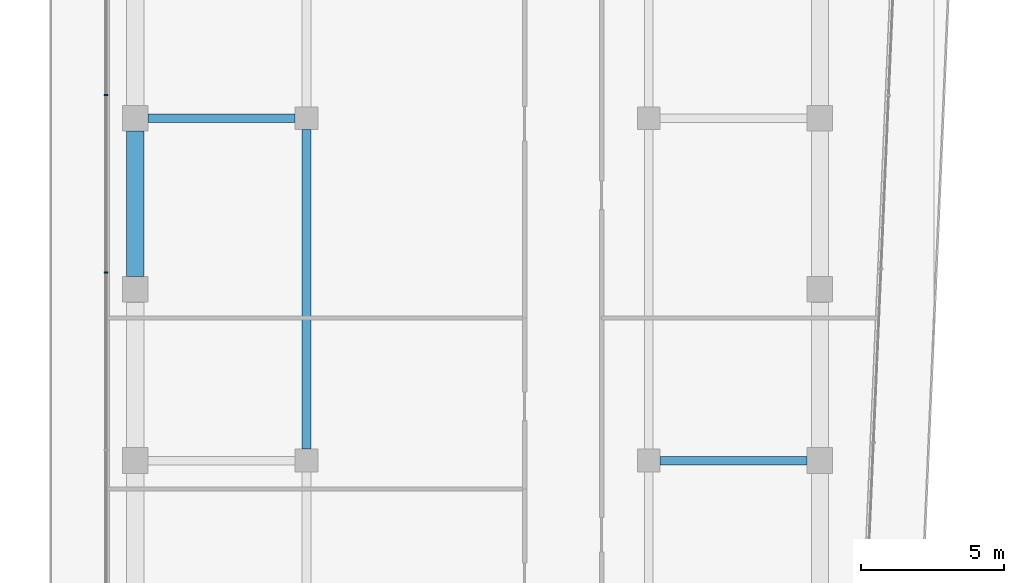
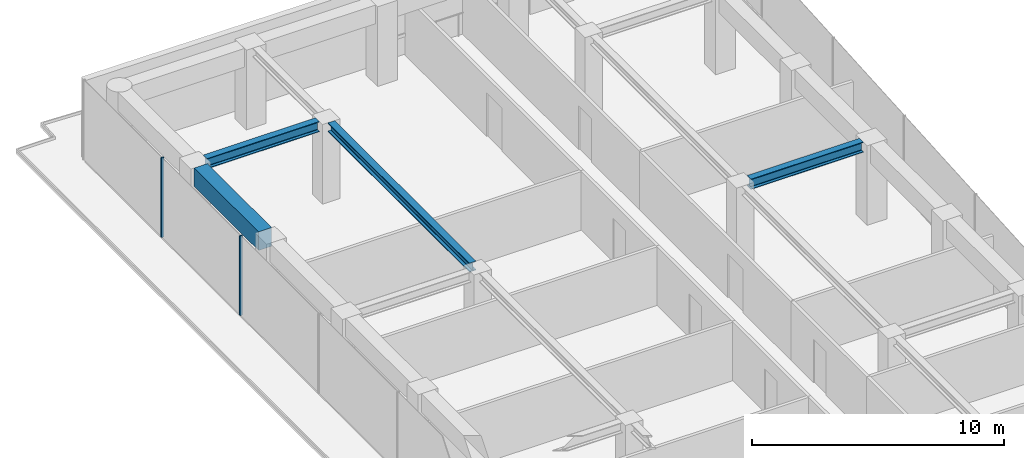
# One storey, part 14 of 25: 4 beams, 2 members, 1 element without a shape of its own.
"""IFC4 building model written with IfcOpenShell, lengths in metres."""

from ifc_helpers import new_model, si_unit, direction, frame, origin, origin_2d, place, context, subcontext, project, spatial, rectangle, i_section, extrude, material, layer, layer_set, material_profile, profile_set, type_object, element, aggregate, save


model = new_model("IFC4")

# Units and contexts
model_context = context("Model", 3, precision=1e-05, world=origin(), true_north=direction((0.0, 1.0)))
body_context = subcontext(model_context, "Body", "Model", "MODEL_VIEW")
ifc_project = project(units=[si_unit("LENGTHUNIT", "METRE"), si_unit("AREAUNIT", "SQUARE_METRE"), si_unit("VOLUMEUNIT", "CUBIC_METRE"), si_unit("PLANEANGLEUNIT", "RADIAN"), si_unit("MASSUNIT", "GRAM", prefix="KILO")], contexts=[model_context])

# Site, building, storey
site_placement = place(None, origin())
site = spatial("IfcSite", under=ifc_project, at=site_placement, CompositionType="ELEMENT")
building_placement = place(site_placement, origin())
building = spatial("IfcBuilding", under=site, at=building_placement, Name="Welwitschia Terrace Campus", CompositionType="ELEMENT")
storey_placement = place(building_placement, frame((0.0, 0.0, 121.39990234375)))
storey = spatial("IfcBuildingStorey", under=building, at=storey_placement, Name="L27", CompositionType="ELEMENT", Elevation=121.39990234375)

# Beam
ifc_material_1 = material(Name="Steel S355", Category="steel")
ifc_material_profile_1 = material_profile(ifc_material_1, i_section(OverallWidth=0.306884765625, OverallDepth=0.431884765625, WebThickness=0.02099609375, FlangeThickness=0.0400390625, FilletRadius=0.027099609375, at=origin_2d()))
ifc_profile_set_1 = profile_set([ifc_material_profile_1], Name="Steel S355")
beam_type_1 = type_object("IfcBeamType", Name="Interior girder HE 400 M", PredefinedType="BEAM", material=ifc_profile_set_1)
beam_1_placement = place(storey_placement, frame((6.0, 52.400390625, 3.634033203125), z_axis=(0.0, 1.0, 0.0), x_axis=(-1.0, 0.0, 0.0)))
element("IfcBeam", 1, at=beam_1_placement, inside=storey, type_object=beam_type_1, Name="Girder GB3", PredefinedType="BEAM", context=body_context, shape_type="SweptSolid", body=[
    extrude(i_section(OverallWidth=0.306884765625, OverallDepth=0.431884765625, WebThickness=0.02099609375, FlangeThickness=0.0400390625, FilletRadius=0.027099609375, at=origin_2d()), origin(), (0.0, 0.0, 1.0), 11.19921875),
])

# Curtain wall, members
ifc_material_2 = material(Name="Bronze anodised aluminium", Category="aluminium")
ifc_layer = layer(ifc_material_2, 0.1201171875)
ifc_layer_set = layer_set([ifc_layer], Name="Bronze anodised aluminium")
curtain_wall_type = type_object("IfcCurtainWallType", Name="Curtain wall CW2 tower 6000", PredefinedType="NOTDEFINED", material=ifc_layer_set)
curtain_wall_placement = place(storey_placement, origin())
curtain_wall = element("IfcCurtainWall", 2, at=curtain_wall_placement, inside=storey, type_object=curtain_wall_type, Name="CW L27.12.0", PredefinedType="NOTDEFINED")
ifc_material_3 = material(Name="Bronze anodised aluminium", Category="aluminium")
ifc_material_profile_2 = material_profile(ifc_material_3, rectangle(XDim=0.1201171875, YDim=0.06005859375, at=origin_2d()))
ifc_profile_set_2 = profile_set([ifc_material_profile_2], Name="Bronze anodised aluminium")
member_type = type_object("IfcMemberType", Name="Mullion 60x120", PredefinedType="MULLION", material=ifc_profile_set_2)
member_1_placement = place(storey_placement, frame((-1.030029296875, 64.815185546875, 0.0), z_axis=(0.0, 0.0, 1.0), x_axis=(1.0, 0.0, 0.0)))
member_1 = element("IfcMember", 3, at=member_1_placement, type_object=member_type, Name="Mullion L27.12.0.1", PredefinedType="MULLION", context=body_context, shape_type="SweptSolid", body=[
    extrude(rectangle(XDim=0.1201171875, YDim=0.06005859375, at=origin_2d()), origin(), (0.0, 0.0, 1.0), 3.85009765625),
])
member_2_placement = place(storey_placement, frame((-1.030029296875, 58.591552734375, 0.0), z_axis=(0.0, 0.0, 1.0), x_axis=(1.0, 0.0, 0.0)))
member_2 = element("IfcMember", 4, at=member_2_placement, type_object=member_type, Name="Mullion L27.12.0.2", PredefinedType="MULLION", context=body_context, shape_type="SweptSolid", body=[
    extrude(rectangle(XDim=0.1201171875, YDim=0.06005859375, at=origin_2d()), origin(), (0.0, 0.0, 1.0), 3.85009765625),
])
aggregate(curtain_wall, [member_1, member_2])

# Beams
ifc_material_4 = material(Name="Steel S355", Category="steel")
ifc_material_profile_3 = material_profile(ifc_material_4, i_section(OverallWidth=0.300048828125, OverallDepth=0.5, WebThickness=0.014404296875, FlangeThickness=0.028076171875, FilletRadius=0.027099609375, at=origin_2d()))
ifc_profile_set_3 = profile_set([ifc_material_profile_3], Name="Steel S355")
beam_type_2 = type_object("IfcBeamType", Name="Primary beam HE 500 B", PredefinedType="BEAM", material=ifc_profile_set_3)
for number, where, z_axis, x_axis, name in (
    (5, (23.549560546875, 52.0, 3.60009765625), (-1.0, 0.0, 0.0), (0.0, -1.0, 0.0), "Primary beam PB3"),
    (6, (0.450439453125, 64.0, 3.60009765625), (1.0, 0.0, 0.0), (0.0, 1.0, 0.0), "Primary beam PB3"),
):
    element("IfcBeam", number, at=place(storey_placement, frame(where, z_axis=z_axis, x_axis=x_axis)), inside=storey, type_object=beam_type_2, Name=name, PredefinedType="BEAM", context=body_context, shape_type="SweptSolid", body=[
        extrude(i_section(OverallWidth=0.300048828125, OverallDepth=0.5, WebThickness=0.014404296875, FlangeThickness=0.028076171875, FilletRadius=0.027099609375, at=origin_2d()), origin(), (0.0, 0.0, 1.0), 5.149169921875),
    ])
ifc_material_5 = material(Name="Concrete C60/75", Category="concrete")
ifc_material_profile_4 = material_profile(ifc_material_5, rectangle(XDim=0.60009765625, YDim=0.89990234375, at=origin_2d()))
ifc_profile_set_4 = profile_set([ifc_material_profile_4], Name="Concrete C60/75")
beam_type_3 = type_object("IfcBeamType", Name="Ring spandrel 600x900", PredefinedType="SPANDREL", material=ifc_profile_set_4)
beam_2_placement = place(storey_placement, frame((0.0, 63.549560546875, 3.400146484375), z_axis=(0.0, -1.0, 0.0), x_axis=(1.0, 0.0, 0.0)))
element("IfcBeam", 7, at=beam_2_placement, inside=storey, type_object=beam_type_3, Name="Spandrel SP2", PredefinedType="SPANDREL", context=body_context, shape_type="SweptSolid", body=[
    extrude(rectangle(XDim=0.60009765625, YDim=0.89990234375, at=origin_2d()), origin(), (0.0, 0.0, 1.0), 5.09912109375),
])

save(model, "model.ifc")
